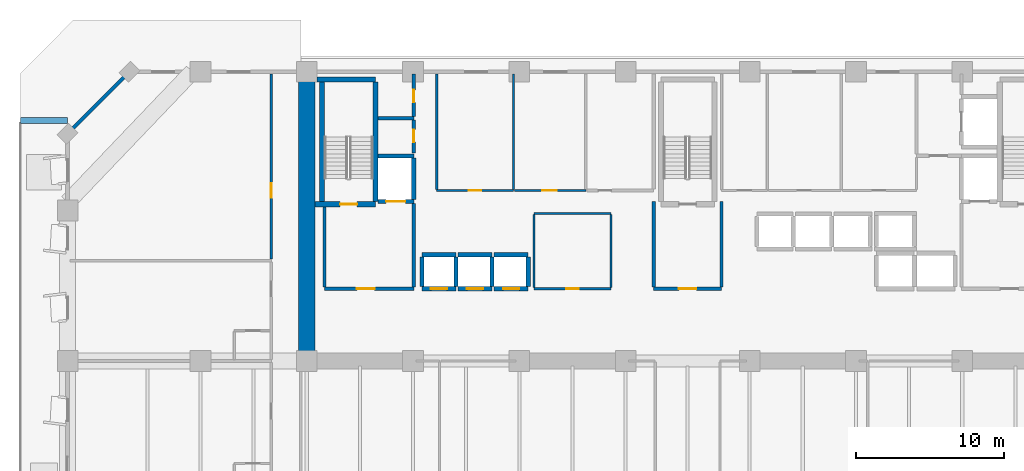
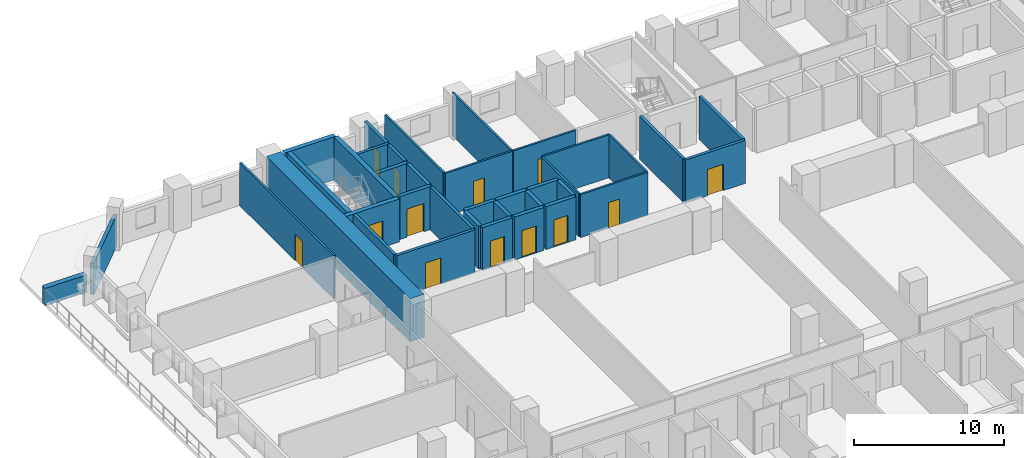
# One storey, part 9 of 17: 38 walls, 13 doors, 13 openings.
"""IFC4 building model written with IfcOpenShell, lengths in metres."""

from ifc_helpers import new_model, si_unit, direction, frame, frame_2d, origin, place, context, subcontext, project, spatial, rectangle, extrude, material, layer, layer_set, type_object, element, fill, save


model = new_model("IFC4")

# Units and contexts
model_context = context("Model", 3, precision=1e-05, world=origin(), true_north=direction((0.0, 1.0)))
body_context = subcontext(model_context, "Body", "Model", "MODEL_VIEW")
ifc_project = project(units=[si_unit("LENGTHUNIT", "METRE"), si_unit("AREAUNIT", "SQUARE_METRE"), si_unit("VOLUMEUNIT", "CUBIC_METRE"), si_unit("PLANEANGLEUNIT", "RADIAN"), si_unit("MASSUNIT", "GRAM", prefix="KILO")], contexts=[model_context])

# Site, building, storey
site_placement = place(None, origin())
site = spatial("IfcSite", under=ifc_project, at=site_placement, CompositionType="ELEMENT")
building_placement = place(site_placement, origin())
building = spatial("IfcBuilding", under=site, at=building_placement, Name="Kaelvorn Grand Hotel", CompositionType="ELEMENT")
storey_placement = place(building_placement, frame((0.0, 0.0, 31.39990234375)))
storey = spatial("IfcBuildingStorey", under=building, at=storey_placement, Name="L05", CompositionType="ELEMENT", Elevation=31.39990234375)

# Walls
ifc_material_1 = material(Name="Concrete C80/95", Category="concrete")
ifc_layer_1 = layer(ifc_material_1, 1.10009765625)
ifc_layer_set_1 = layer_set([ifc_layer_1], Name="Concrete C80/95")
wall_type_1 = type_object("IfcWallType", Name="WL-CORE-1100-C80", PredefinedType="SHEAR", material=ifc_layer_set_1)
wall_1_placement = place(storey_placement, frame((16.199951171875, 29.39990234375, 0.0), z_axis=(0.0, 0.0, 1.0), x_axis=(0.0, 1.0, 0.0)))
element("IfcWall", 1, at=wall_1_placement, inside=storey, type_object=wall_type_1, Name="L05 Rear-Core West Shear Wall", PredefinedType="SHEAR", context=body_context, shape_type="SweptSolid", body=[
    extrude(rectangle(XDim=19.2001953125, YDim=1.10009765625, at=frame_2d((9.60009765625, 0.0))), origin(), (0.0, 0.0, 1.0), 3.510009765625),
])
ifc_material_2 = material(Name="Concrete C40/50", Category="concrete")
ifc_layer_2 = layer(ifc_material_2, 0.260009765625)
ifc_layer_set_2 = layer_set([ifc_layer_2], Name="Concrete C40/50")
wall_type_2 = type_object("IfcWallType", Name="WL-EXT-260-C40", PredefinedType="SOLIDWALL", material=ifc_layer_set_2)
wall_2_placement = place(storey_placement, frame((4.199951171875, 49.0, 0.0), z_axis=(0.0, 0.0, 1.0), x_axis=(-0.707106781187, -0.707106781187, 0.0)))
element("IfcWall", 2, at=wall_2_placement, inside=storey, type_object=wall_type_2, Name="L05 Exterior Architectural Concrete Wall 06", PredefinedType="SOLIDWALL", context=body_context, shape_type="SweptSolid", body=[
    extrude(rectangle(XDim=5.939697265625, YDim=0.260009765625, at=frame_2d((2.9697265625, 0.0))), origin(), (0.0, 0.0, 1.0), 2.56005859375),
])

# Wall, opening, door
ifc_material_3 = material(Name="Acoustic Gypsum & Stud Partition")
ifc_layer_3 = layer(ifc_material_3, 0.14990234375)
ifc_layer_set_3 = layer_set([ifc_layer_3], Name="Acoustic Gypsum & Stud Partition")
wall_type_3 = type_object("IfcWallType", Name="WL-PART-150-EI60", PredefinedType="PARTITIONING", material=ifc_layer_set_3)
wall_3_placement = place(storey_placement, frame((31.60009765625, 34.300048828125, 0.0), z_axis=(0.0, 0.0, 1.0), x_axis=(1.0, 0.0, 0.0)))
wall_3 = element("IfcWall", 3, at=wall_3_placement, inside=storey, type_object=wall_type_3, Name="L05 Core Telecoms & BMS Server Room S Partition", PredefinedType="PARTITIONING", context=body_context, shape_type="SweptSolid", body=[
    extrude(rectangle(XDim=5.199951171875, YDim=0.14990234375, at=frame_2d((2.60009765625, 0.0))), origin(), (0.0, 0.0, 1.0), 3.510009765625),
])
opening_1_placement = place(wall_3_placement, frame((2.175048828125, 0.0, 0.0)))
opening_1 = element("IfcOpeningElement", 4, at=opening_1_placement, cuts=wall_3, Name="Opening DI7", PredefinedType="OPENING", context=body_context, shape_type="SweptSolid", body=[
    extrude(rectangle(XDim=0.85009765625, YDim=2.10009765625, at=frame_2d((0.425048828125, 1.050048828125))), frame((0.0, 0.0849609375, 0.0), z_axis=(0.0, -1.0, 0.0), x_axis=(1.0, 0.0, 0.0)), (0.0, 0.0, 1.0), 0.169921875),
])
ifc_material_4 = material(Name="Powder-Coated Steel Leaf", Category="steel")
door_type_1 = type_object("IfcDoorType", Name="DR-INT-RISER-850x2100", OperationType="NOTDEFINED", PredefinedType="DOOR", material=ifc_material_4)
door_1_placement = place(opening_1_placement, origin())
door_1 = element("IfcDoor", 5, at=door_1_placement, inside=storey, type_object=door_type_1, Name="L05 Core Telecoms & BMS Server Room Door", OperationType="SINGLE_SWING_RIGHT", OverallHeight=2.10009765625, OverallWidth=0.85009765625, PredefinedType="DOOR", context=body_context, shape_type="SweptSolid", body=[
    extrude(rectangle(XDim=0.85009765625, YDim=2.10009765625, at=frame_2d((0.425048828125, 1.050048828125))), frame((0.0, 0.02490234375, 0.0), z_axis=(0.0, -1.0, 0.0), x_axis=(1.0, 0.0, 0.0)), (0.0, 0.0, 1.0), 0.050048828125),
])
fill(opening_1, door_1)

# Walls
wall_4_placement = place(storey_placement, frame((31.60009765625, 39.39990234375, 0.0), z_axis=(0.0, 0.0, 1.0), x_axis=(1.0, 0.0, 0.0)))
element("IfcWall", 6, at=wall_4_placement, inside=storey, type_object=wall_type_3, Name="L05 Core Telecoms & BMS Server Room N Partition", PredefinedType="PARTITIONING", context=body_context, shape_type="SweptSolid", body=[
    extrude(rectangle(XDim=5.199951171875, YDim=0.14990234375, at=frame_2d((2.60009765625, 0.0))), origin(), (0.0, 0.0, 1.0), 3.510009765625),
])
for number, where, z_axis, x_axis, name in (
    (7, (31.60009765625, 34.3798828125, 0.0), (0.0, 0.0, 1.0), (0.0, 1.0, 0.0), "L05 Core Telecoms & BMS Server Room W Partition"),
    (8, (36.800048828125, 34.3798828125, 0.0), (0.0, 0.0, 1.0), (0.0, 1.0, 0.0), "L05 Core Telecoms & BMS Server Room E Partition"),
):
    element("IfcWall", number, at=place(storey_placement, frame(where, z_axis=z_axis, x_axis=x_axis)), inside=storey, type_object=wall_type_3, Name=name, PredefinedType="PARTITIONING", context=body_context, shape_type="SweptSolid", body=[
        extrude(rectangle(XDim=4.940185546875, YDim=0.14990234375, at=frame_2d((2.47021484375, 0.0))), origin(), (0.0, 0.0, 1.0), 3.510009765625),
    ])

# Wall, opening, door
wall_5_placement = place(storey_placement, frame((25.0, 40.949951171875, 0.0), z_axis=(0.0, 0.0, 1.0), x_axis=(1.0, 0.0, 0.0)))
wall_5 = element("IfcWall", 9, at=wall_5_placement, inside=storey, type_object=wall_type_3, Name="L05 Housekeeping & Linen Room S Partition", PredefinedType="PARTITIONING", context=body_context, shape_type="SweptSolid", body=[
    extrude(rectangle(XDim=5.199951171875, YDim=0.14990234375, at=frame_2d((2.60009765625, 0.0))), origin(), (0.0, 0.0, 1.0), 3.510009765625),
])
opening_2_placement = place(wall_5_placement, frame((2.175048828125, 0.0, 0.0)))
opening_2 = element("IfcOpeningElement", 10, at=opening_2_placement, cuts=wall_5, Name="Opening DI7", PredefinedType="OPENING", context=body_context, shape_type="SweptSolid", body=[
    extrude(rectangle(XDim=0.85009765625, YDim=2.10009765625, at=frame_2d((0.425048828125, 1.050048828125))), frame((0.0, 0.0849609375, 0.0), z_axis=(0.0, -1.0, 0.0), x_axis=(1.0, 0.0, 0.0)), (0.0, 0.0, 1.0), 0.169921875),
])
door_2_placement = place(opening_2_placement, origin())
door_2 = element("IfcDoor", 11, at=door_2_placement, inside=storey, type_object=door_type_1, Name="L05 Housekeeping & Linen Room Door", OperationType="SINGLE_SWING_LEFT", OverallHeight=2.10009765625, OverallWidth=0.85009765625, PredefinedType="DOOR", context=body_context, shape_type="SweptSolid", body=[
    extrude(rectangle(XDim=0.85009765625, YDim=2.10009765625, at=frame_2d((0.425048828125, 1.050048828125))), frame((0.0, 0.02490234375, 0.0), z_axis=(0.0, -1.0, 0.0), x_axis=(1.0, 0.0, 0.0)), (0.0, 0.0, 1.0), 0.050048828125),
])
fill(opening_2, door_2)

# Walls
for number, where, z_axis, x_axis, name in (
    (12, (25.0, 41.030029296875, 0.0), (0.0, 0.0, 1.0), (0.0, 1.0, 0.0), "L05 Housekeeping & Linen Room W Partition"),
    (13, (30.199951171875, 41.030029296875, 0.0), (0.0, 0.0, 1.0), (0.0, 1.0, 0.0), "L05 Housekeeping & Linen Room E Partition"),
):
    element("IfcWall", number, at=place(storey_placement, frame(where, z_axis=z_axis, x_axis=x_axis)), inside=storey, type_object=wall_type_3, Name=name, PredefinedType="PARTITIONING", context=body_context, shape_type="SweptSolid", body=[
        extrude(rectangle(XDim=7.820068359375, YDim=0.14990234375, at=frame_2d((3.91015625, 0.0))), origin(), (0.0, 0.0, 1.0), 3.510009765625),
    ])

# Wall, opening, door
wall_6_placement = place(storey_placement, frame((30.280029296875, 40.949951171875, 0.0), z_axis=(0.0, 0.0, 1.0), x_axis=(1.0, 0.0, 0.0)))
wall_6 = element("IfcWall", 14, at=wall_6_placement, inside=storey, type_object=wall_type_3, Name="L05 Room Service Servery Pantry S Partition", PredefinedType="PARTITIONING", context=body_context, shape_type="SweptSolid", body=[
    extrude(rectangle(XDim=4.820068359375, YDim=0.14990234375, at=frame_2d((2.41015625, 0.0))), origin(), (0.0, 0.0, 1.0), 3.510009765625),
])
opening_3_placement = place(wall_6_placement, frame((1.8701171875, 0.0, 0.0)))
opening_3 = element("IfcOpeningElement", 15, at=opening_3_placement, cuts=wall_6, Name="Opening DI3", PredefinedType="OPENING", context=body_context, shape_type="SweptSolid", body=[
    extrude(rectangle(XDim=1.0, YDim=2.14990234375, at=frame_2d((0.5, 1.074951171875))), frame((0.0, 0.0849609375, 0.0), z_axis=(0.0, -1.0, 0.0), x_axis=(1.0, 0.0, 0.0)), (0.0, 0.0, 1.0), 0.169921875),
])
ifc_material_5 = material(Name="Timber Veneer Fire Leaf", Category="wood")
door_type_2 = type_object("IfcDoorType", Name="DR-INT-GUEST-1000x2150", OperationType="NOTDEFINED", PredefinedType="DOOR", material=ifc_material_5)
door_3_placement = place(opening_3_placement, origin())
door_3 = element("IfcDoor", 16, at=door_3_placement, inside=storey, type_object=door_type_2, Name="L05 Room Service Servery Pantry Door", OperationType="SINGLE_SWING_RIGHT", OverallHeight=2.14990234375, OverallWidth=1.0, PredefinedType="DOOR", context=body_context, shape_type="SweptSolid", body=[
    extrude(rectangle(XDim=1.0, YDim=2.14990234375, at=frame_2d((0.5, 1.074951171875))), frame((0.0, 0.02490234375, 0.0), z_axis=(0.0, -1.0, 0.0), x_axis=(1.0, 0.0, 0.0)), (0.0, 0.0, 1.0), 0.050048828125),
])
fill(opening_3, door_3)

wall_7_placement = place(storey_placement, frame((13.800048828125, 36.294921875, 0.0), z_axis=(0.0, 0.0, 1.0), x_axis=(0.0, 1.0, 0.0)))
wall_7 = element("IfcWall", 17, at=wall_7_placement, inside=storey, type_object=wall_type_3, Name="L05 North-West Business Secretariat Office E Partition", PredefinedType="PARTITIONING", context=body_context, shape_type="SweptSolid", body=[
    extrude(rectangle(XDim=12.55517578125, YDim=0.14990234375, at=frame_2d((6.277587890625, 0.0))), origin(), (0.0, 0.0, 1.0), 3.510009765625),
])
opening_4_placement = place(wall_7_placement, frame((4.155029296875, 0.0, 0.0)))
opening_4 = element("IfcOpeningElement", 18, at=opening_4_placement, cuts=wall_7, Name="Opening DI3", PredefinedType="OPENING", context=body_context, shape_type="SweptSolid", body=[
    extrude(rectangle(XDim=1.0, YDim=2.14990234375, at=frame_2d((0.5, 1.074951171875))), frame((0.0, 0.0849609375, 0.0), z_axis=(0.0, -1.0, 0.0), x_axis=(1.0, 0.0, 0.0)), (0.0, 0.0, 1.0), 0.169921875),
])
door_4_placement = place(opening_4_placement, origin())
door_4 = element("IfcDoor", 19, at=door_4_placement, inside=storey, type_object=door_type_2, Name="L05 North-West Business Secretariat Office Door", OperationType="SINGLE_SWING_RIGHT", OverallHeight=2.14990234375, OverallWidth=1.0, PredefinedType="DOOR", context=body_context, shape_type="SweptSolid", body=[
    extrude(rectangle(XDim=1.0, YDim=2.14990234375, at=frame_2d((0.5, 1.074951171875))), frame((0.0, 0.02490234375, 0.0), z_axis=(0.0, -1.0, 0.0), x_axis=(1.0, 0.0, 0.0)), (0.0, 0.0, 1.0), 0.050048828125),
])
fill(opening_4, door_4)

ifc_layer_4 = layer(ifc_material_2, 0.219970703125)
ifc_layer_set_4 = layer_set([ifc_layer_4], Name="Concrete C40/50")
wall_type_4 = type_object("IfcWallType", Name="WL-PART-220-EI120", PredefinedType="PARTITIONING", material=ifc_layer_set_4)
wall_8_placement = place(storey_placement, frame((17.39990234375, 34.300048828125, 0.0), z_axis=(0.0, 0.0, 1.0), x_axis=(1.0, 0.0, 0.0)))
wall_8 = element("IfcWall", 20, at=wall_8_placement, inside=storey, type_object=wall_type_4, Name="L05 Firefighting Lift Lobby 1 S Partition", PredefinedType="PARTITIONING", context=body_context, shape_type="SweptSolid", body=[
    extrude(rectangle(XDim=6.050048828125, YDim=0.219970703125, at=frame_2d((3.02490234375, 0.0))), origin(), (0.0, 0.0, 1.0), 3.510009765625),
])
opening_5_placement = place(wall_8_placement, frame((2.199951171875, 0.0, 0.0)))
opening_5 = element("IfcOpeningElement", 21, at=opening_5_placement, cuts=wall_8, Name="Opening DI2", PredefinedType="OPENING", context=body_context, shape_type="SweptSolid", body=[
    extrude(rectangle(XDim=1.199951171875, YDim=2.14990234375, at=frame_2d((0.60009765625, 1.074951171875))), frame((0.0, 0.1201171875, 0.0), z_axis=(0.0, -1.0, 0.0), x_axis=(1.0, 0.0, 0.0)), (0.0, 0.0, 1.0), 0.239990234375),
])
door_type_3 = type_object("IfcDoorType", Name="DR-INT-FFLOB-1200x2150", OperationType="NOTDEFINED", PredefinedType="DOOR", material=ifc_material_5)
door_5_placement = place(opening_5_placement, origin())
door_5 = element("IfcDoor", 22, at=door_5_placement, inside=storey, type_object=door_type_3, Name="L05 Firefighting Lift Lobby 1 Door", OperationType="SINGLE_SWING_RIGHT", OverallHeight=2.14990234375, OverallWidth=1.199951171875, PredefinedType="DOOR", context=body_context, shape_type="SweptSolid", body=[
    extrude(rectangle(XDim=1.199951171875, YDim=2.14990234375, at=frame_2d((0.60009765625, 1.074951171875))), frame((0.0, 0.02490234375, 0.0), z_axis=(0.0, -1.0, 0.0), x_axis=(1.0, 0.0, 0.0)), (0.0, 0.0, 1.0), 0.050048828125),
])
fill(opening_5, door_5)

# Walls
wall_9_placement = place(storey_placement, frame((17.39990234375, 34.4150390625, 0.0), z_axis=(0.0, 0.0, 1.0), x_axis=(0.0, 1.0, 0.0)))
element("IfcWall", 23, at=wall_9_placement, inside=storey, type_object=wall_type_4, Name="L05 Firefighting Lift Lobby 1 W Partition", PredefinedType="PARTITIONING", context=body_context, shape_type="SweptSolid", body=[
    extrude(rectangle(XDim=5.429931640625, YDim=0.219970703125, at=frame_2d((2.71484375, 0.0))), origin(), (0.0, 0.0, 1.0), 3.510009765625),
])
wall_10_placement = place(storey_placement, frame((23.449951171875, 34.4150390625, 0.0), z_axis=(0.0, 0.0, 1.0), x_axis=(0.0, 1.0, 0.0)))
element("IfcWall", 24, at=wall_10_placement, inside=storey, type_object=wall_type_4, Name="L05 Firefighting Lift Lobby 1 E Partition", PredefinedType="PARTITIONING", context=body_context, shape_type="SweptSolid", body=[
    extrude(rectangle(XDim=5.639892578125, YDim=0.219970703125, at=frame_2d((2.81982421875, 0.0))), origin(), (0.0, 0.0, 1.0), 3.510009765625),
])

# Wall, opening, door
wall_11_placement = place(storey_placement, frame((39.699951171875, 34.300048828125, 0.0), z_axis=(0.0, 0.0, 1.0), x_axis=(1.0, 0.0, 0.0)))
wall_11 = element("IfcWall", 25, at=wall_11_placement, inside=storey, type_object=wall_type_4, Name="L05 Central Stair Escape Vestibule S Partition", PredefinedType="PARTITIONING", context=body_context, shape_type="SweptSolid", body=[
    extrude(rectangle(XDim=4.60009765625, YDim=0.219970703125, at=frame_2d((2.300048828125, 0.0))), origin(), (0.0, 0.0, 1.0), 3.510009765625),
])
opening_6_placement = place(wall_11_placement, frame((1.699951171875, 0.0, 0.0)))
opening_6 = element("IfcOpeningElement", 26, at=opening_6_placement, cuts=wall_11, Name="Opening DI2", PredefinedType="OPENING", context=body_context, shape_type="SweptSolid", body=[
    extrude(rectangle(XDim=1.199951171875, YDim=2.14990234375, at=frame_2d((0.60009765625, 1.074951171875))), frame((0.0, 0.1201171875, 0.0), z_axis=(0.0, -1.0, 0.0), x_axis=(1.0, 0.0, 0.0)), (0.0, 0.0, 1.0), 0.239990234375),
])
door_6_placement = place(opening_6_placement, origin())
door_6 = element("IfcDoor", 27, at=door_6_placement, inside=storey, type_object=door_type_3, Name="L05 Central Stair Escape Vestibule Door", OperationType="SINGLE_SWING_RIGHT", OverallHeight=2.14990234375, OverallWidth=1.199951171875, PredefinedType="DOOR", context=body_context, shape_type="SweptSolid", body=[
    extrude(rectangle(XDim=1.199951171875, YDim=2.14990234375, at=frame_2d((0.60009765625, 1.074951171875))), frame((0.0, 0.02490234375, 0.0), z_axis=(0.0, -1.0, 0.0), x_axis=(1.0, 0.0, 0.0)), (0.0, 0.0, 1.0), 0.050048828125),
])
fill(opening_6, door_6)

# Walls
for number, where, z_axis, x_axis, name in (
    (28, (39.699951171875, 34.4150390625, 0.0), (0.0, 0.0, 1.0), (0.0, 1.0, 0.0), "L05 Central Stair Escape Vestibule W Partition"),
    (29, (44.300048828125, 34.4150390625, 0.0), (0.0, 0.0, 1.0), (0.0, 1.0, 0.0), "L05 Central Stair Escape Vestibule E Partition"),
):
    element("IfcWall", number, at=place(storey_placement, frame(where, z_axis=z_axis, x_axis=x_axis)), inside=storey, type_object=wall_type_4, Name=name, PredefinedType="PARTITIONING", context=body_context, shape_type="SweptSolid", body=[
        extrude(rectangle(XDim=5.784912109375, YDim=0.219970703125, at=frame_2d((2.892578125, 0.0))), origin(), (0.0, 0.0, 1.0), 3.510009765625),
    ])
wall_12_placement = place(storey_placement, frame((21.034912109375, 45.85009765625, 0.0), z_axis=(0.0, 0.0, 1.0), x_axis=(1.0, 0.0, 0.0)))
element("IfcWall", 30, at=wall_12_placement, inside=storey, type_object=wall_type_4, Name="L05 Wet Fire & Plumbing Riser Shaft N Partition", PredefinedType="PARTITIONING", context=body_context, shape_type="SweptSolid", body=[
    extrude(rectangle(XDim=2.4150390625, YDim=0.219970703125, at=frame_2d((1.20751953125, 0.0))), origin(), (0.0, 0.0, 1.0), 3.510009765625),
])

# Wall, opening, door
wall_13_placement = place(storey_placement, frame((23.449951171875, 43.5, 0.0), z_axis=(0.0, 0.0, 1.0), x_axis=(0.0, 1.0, 0.0)))
wall_13 = element("IfcWall", 31, at=wall_13_placement, inside=storey, type_object=wall_type_4, Name="L05 Wet Fire & Plumbing Riser Shaft E Partition", PredefinedType="PARTITIONING", context=body_context, shape_type="SweptSolid", body=[
    extrude(rectangle(XDim=2.235107421875, YDim=0.219970703125, at=frame_2d((1.11767578125, 0.0))), origin(), (0.0, 0.0, 1.0), 3.510009765625),
])
opening_7_placement = place(wall_13_placement, frame((0.72509765625, 0.0, 0.0)))
opening_7 = element("IfcOpeningElement", 32, at=opening_7_placement, cuts=wall_13, Name="Opening DI7", PredefinedType="OPENING", context=body_context, shape_type="SweptSolid", body=[
    extrude(rectangle(XDim=0.85009765625, YDim=2.10009765625, at=frame_2d((0.425048828125, 1.050048828125))), frame((0.0, 0.1201171875, 0.0), z_axis=(0.0, -1.0, 0.0), x_axis=(1.0, 0.0, 0.0)), (0.0, 0.0, 1.0), 0.239990234375),
])
door_7_placement = place(opening_7_placement, origin())
door_7 = element("IfcDoor", 33, at=door_7_placement, inside=storey, type_object=door_type_1, Name="L05 Wet Fire & Plumbing Riser Shaft Door", OperationType="SINGLE_SWING_RIGHT", OverallHeight=2.10009765625, OverallWidth=0.85009765625, PredefinedType="DOOR", context=body_context, shape_type="SweptSolid", body=[
    extrude(rectangle(XDim=0.85009765625, YDim=2.10009765625, at=frame_2d((0.425048828125, 1.050048828125))), frame((0.0, 0.02490234375, 0.0), z_axis=(0.0, -1.0, 0.0), x_axis=(1.0, 0.0, 0.0)), (0.0, 0.0, 1.0), 0.050048828125),
])
fill(opening_7, door_7)

wall_14_placement = place(storey_placement, frame((23.449951171875, 45.965087890625, 0.0), z_axis=(0.0, 0.0, 1.0), x_axis=(0.0, 1.0, 0.0)))
wall_14 = element("IfcWall", 34, at=wall_14_placement, inside=storey, type_object=wall_type_4, Name="L05 HV Electrical & Smoke Riser E Partition", PredefinedType="PARTITIONING", context=body_context, shape_type="SweptSolid", body=[
    extrude(rectangle(XDim=2.885009765625, YDim=0.219970703125, at=frame_2d((1.4423828125, 0.0))), origin(), (0.0, 0.0, 1.0), 3.510009765625),
])
opening_8_placement = place(wall_14_placement, frame((0.9599609375, 0.0, 0.0)))
opening_8 = element("IfcOpeningElement", 35, at=opening_8_placement, cuts=wall_14, Name="Opening DI7", PredefinedType="OPENING", context=body_context, shape_type="SweptSolid", body=[
    extrude(rectangle(XDim=0.85009765625, YDim=2.10009765625, at=frame_2d((0.425048828125, 1.050048828125))), frame((0.0, 0.1201171875, 0.0), z_axis=(0.0, -1.0, 0.0), x_axis=(1.0, 0.0, 0.0)), (0.0, 0.0, 1.0), 0.239990234375),
])
door_8_placement = place(opening_8_placement, origin())
door_8 = element("IfcDoor", 36, at=door_8_placement, inside=storey, type_object=door_type_1, Name="L05 HV Electrical & Smoke Riser Door", OperationType="SINGLE_SWING_LEFT", OverallHeight=2.10009765625, OverallWidth=0.85009765625, PredefinedType="DOOR", context=body_context, shape_type="SweptSolid", body=[
    extrude(rectangle(XDim=0.85009765625, YDim=2.10009765625, at=frame_2d((0.425048828125, 1.050048828125))), frame((0.0, 0.02490234375, 0.0), z_axis=(0.0, -1.0, 0.0), x_axis=(1.0, 0.0, 0.0)), (0.0, 0.0, 1.0), 0.050048828125),
])
fill(opening_8, door_8)

ifc_material_6 = material(Name="Concrete C50/60", Category="concrete")
ifc_layer_5 = layer(ifc_material_6, 0.280029296875)
ifc_layer_set_5 = layer_set([ifc_layer_5], Name="Concrete C50/60")
wall_type_5 = type_object("IfcWallType", Name="WL-SHAFT-280-C50", PredefinedType="SHEAR", material=ifc_layer_set_5)
wall_15_placement = place(storey_placement, frame((24.0, 34.300048828125, 0.0), z_axis=(0.0, 0.0, 1.0), x_axis=(1.0, 0.0, 0.0)))
wall_15 = element("IfcWall", 37, at=wall_15_placement, inside=storey, type_object=wall_type_5, Name="L05 Lift PL-L1 Shaft South Wall", PredefinedType="SHEAR", context=body_context, shape_type="SweptSolid", body=[
    extrude(rectangle(XDim=2.300048828125, YDim=0.280029296875, at=frame_2d((1.14990234375, 0.0))), origin(), (0.0, 0.0, 1.0), 3.510009765625),
])
opening_9_placement = place(wall_15_placement, frame((0.60009765625, 0.0, 0.0)))
opening_9 = element("IfcOpeningElement", 38, at=opening_9_placement, cuts=wall_15, Name="Opening LD-PL-L1", PredefinedType="OPENING", context=body_context, shape_type="SweptSolid", body=[
    extrude(rectangle(XDim=1.10009765625, YDim=2.199951171875, at=frame_2d((0.550048828125, 1.10009765625))), frame((0.0, 0.14990234375, 0.0), z_axis=(0.0, -1.0, 0.0), x_axis=(1.0, 0.0, 0.0)), (0.0, 0.0, 1.0), 0.300048828125),
])
ifc_material_7 = material(Name="Stainless Steel", Category="steel")
door_type_4 = type_object("IfcDoorType", Name="DR-LIFT-PASS-1100x2200", OperationType="DOUBLE_DOOR_SLIDING", PredefinedType="DOOR", material=ifc_material_7)
door_9_placement = place(opening_9_placement, origin())
door_9 = element("IfcDoor", 39, at=door_9_placement, inside=storey, type_object=door_type_4, Name="L05 Lift PL-L1 Sliding Landing Door LD-PL-L1", OperationType="DOUBLE_DOOR_SLIDING", OverallHeight=2.199951171875, OverallWidth=1.10009765625, PredefinedType="DOOR", context=body_context, shape_type="SweptSolid", body=[
    extrude(rectangle(XDim=1.10009765625, YDim=2.199951171875, at=frame_2d((0.550048828125, 1.10009765625))), frame((0.0, 0.02490234375, 0.0), z_axis=(0.0, -1.0, 0.0), x_axis=(1.0, 0.0, 0.0)), (0.0, 0.0, 1.0), 0.050048828125),
])
fill(opening_9, door_9)

# Walls
wall_16_placement = place(storey_placement, frame((24.0, 36.60009765625, 0.0), z_axis=(0.0, 0.0, 1.0), x_axis=(1.0, 0.0, 0.0)))
element("IfcWall", 40, at=wall_16_placement, inside=storey, type_object=wall_type_5, Name="L05 Lift PL-L1 Shaft North Wall", PredefinedType="SHEAR", context=body_context, shape_type="SweptSolid", body=[
    extrude(rectangle(XDim=2.300048828125, YDim=0.280029296875, at=frame_2d((1.14990234375, 0.0))), origin(), (0.0, 0.0, 1.0), 3.510009765625),
])
for number, where, z_axis, x_axis, name in (
    (41, (24.0, 34.445068359375, 0.0), (0.0, 0.0, 1.0), (0.0, 1.0, 0.0), "L05 Lift PL-L1 Shaft West Wall"),
    (42, (26.300048828125, 34.445068359375, 0.0), (0.0, 0.0, 1.0), (0.0, 1.0, 0.0), "L05 Lift PL-L1 Shaft East Wall"),
):
    element("IfcWall", number, at=place(storey_placement, frame(where, z_axis=z_axis, x_axis=x_axis)), inside=storey, type_object=wall_type_5, Name=name, PredefinedType="SHEAR", context=body_context, shape_type="SweptSolid", body=[
        extrude(rectangle(XDim=2.010009765625, YDim=0.280029296875, at=frame_2d((1.0048828125, 0.0))), origin(), (0.0, 0.0, 1.0), 3.510009765625),
    ])

# Wall, opening, door
wall_17_placement = place(storey_placement, frame((26.449951171875, 34.300048828125, 0.0), z_axis=(0.0, 0.0, 1.0), x_axis=(1.0, 0.0, 0.0)))
wall_17 = element("IfcWall", 43, at=wall_17_placement, inside=storey, type_object=wall_type_5, Name="L05 Lift PL-L2 Shaft South Wall", PredefinedType="SHEAR", context=body_context, shape_type="SweptSolid", body=[
    extrude(rectangle(XDim=2.300048828125, YDim=0.280029296875, at=frame_2d((1.14990234375, 0.0))), origin(), (0.0, 0.0, 1.0), 3.510009765625),
])
opening_10_placement = place(wall_17_placement, frame((0.60009765625, 0.0, 0.0)))
opening_10 = element("IfcOpeningElement", 44, at=opening_10_placement, cuts=wall_17, Name="Opening LD-PL-L2", PredefinedType="OPENING", context=body_context, shape_type="SweptSolid", body=[
    extrude(rectangle(XDim=1.10009765625, YDim=2.199951171875, at=frame_2d((0.550048828125, 1.10009765625))), frame((0.0, 0.14990234375, 0.0), z_axis=(0.0, -1.0, 0.0), x_axis=(1.0, 0.0, 0.0)), (0.0, 0.0, 1.0), 0.300048828125),
])
door_10_placement = place(opening_10_placement, origin())
door_10 = element("IfcDoor", 45, at=door_10_placement, inside=storey, type_object=door_type_4, Name="L05 Lift PL-L2 Sliding Landing Door LD-PL-L2", OperationType="DOUBLE_DOOR_SLIDING", OverallHeight=2.199951171875, OverallWidth=1.10009765625, PredefinedType="DOOR", context=body_context, shape_type="SweptSolid", body=[
    extrude(rectangle(XDim=1.10009765625, YDim=2.199951171875, at=frame_2d((0.550048828125, 1.10009765625))), frame((0.0, 0.02490234375, 0.0), z_axis=(0.0, -1.0, 0.0), x_axis=(1.0, 0.0, 0.0)), (0.0, 0.0, 1.0), 0.050048828125),
])
fill(opening_10, door_10)

# Walls
wall_18_placement = place(storey_placement, frame((26.449951171875, 36.60009765625, 0.0), z_axis=(0.0, 0.0, 1.0), x_axis=(1.0, 0.0, 0.0)))
element("IfcWall", 46, at=wall_18_placement, inside=storey, type_object=wall_type_5, Name="L05 Lift PL-L2 Shaft North Wall", PredefinedType="SHEAR", context=body_context, shape_type="SweptSolid", body=[
    extrude(rectangle(XDim=2.300048828125, YDim=0.280029296875, at=frame_2d((1.14990234375, 0.0))), origin(), (0.0, 0.0, 1.0), 3.510009765625),
])
wall_19_placement = place(storey_placement, frame((28.75, 34.445068359375, 0.0), z_axis=(0.0, 0.0, 1.0), x_axis=(0.0, 1.0, 0.0)))
element("IfcWall", 47, at=wall_19_placement, inside=storey, type_object=wall_type_5, Name="L05 Lift PL-L2 Shaft East Wall", PredefinedType="SHEAR", context=body_context, shape_type="SweptSolid", body=[
    extrude(rectangle(XDim=2.010009765625, YDim=0.280029296875, at=frame_2d((1.0048828125, 0.0))), origin(), (0.0, 0.0, 1.0), 3.510009765625),
])

# Wall, opening, door
wall_20_placement = place(storey_placement, frame((28.89990234375, 34.300048828125, 0.0), z_axis=(0.0, 0.0, 1.0), x_axis=(1.0, 0.0, 0.0)))
wall_20 = element("IfcWall", 48, at=wall_20_placement, inside=storey, type_object=wall_type_5, Name="L05 Lift PL-L3 Shaft South Wall", PredefinedType="SHEAR", context=body_context, shape_type="SweptSolid", body=[
    extrude(rectangle(XDim=2.300048828125, YDim=0.280029296875, at=frame_2d((1.14990234375, 0.0))), origin(), (0.0, 0.0, 1.0), 3.510009765625),
])
opening_11_placement = place(wall_20_placement, frame((0.60009765625, 0.0, 0.0)))
opening_11 = element("IfcOpeningElement", 49, at=opening_11_placement, cuts=wall_20, Name="Opening LD-PL-L3", PredefinedType="OPENING", context=body_context, shape_type="SweptSolid", body=[
    extrude(rectangle(XDim=1.10009765625, YDim=2.199951171875, at=frame_2d((0.550048828125, 1.10009765625))), frame((0.0, 0.14990234375, 0.0), z_axis=(0.0, -1.0, 0.0), x_axis=(1.0, 0.0, 0.0)), (0.0, 0.0, 1.0), 0.300048828125),
])
door_11_placement = place(opening_11_placement, origin())
door_11 = element("IfcDoor", 50, at=door_11_placement, inside=storey, type_object=door_type_4, Name="L05 Lift PL-L3 Sliding Landing Door LD-PL-L3", OperationType="DOUBLE_DOOR_SLIDING", OverallHeight=2.199951171875, OverallWidth=1.10009765625, PredefinedType="DOOR", context=body_context, shape_type="SweptSolid", body=[
    extrude(rectangle(XDim=1.10009765625, YDim=2.199951171875, at=frame_2d((0.550048828125, 1.10009765625))), frame((0.0, 0.02490234375, 0.0), z_axis=(0.0, -1.0, 0.0), x_axis=(1.0, 0.0, 0.0)), (0.0, 0.0, 1.0), 0.050048828125),
])
fill(opening_11, door_11)

# Walls
wall_21_placement = place(storey_placement, frame((28.89990234375, 36.60009765625, 0.0), z_axis=(0.0, 0.0, 1.0), x_axis=(1.0, 0.0, 0.0)))
element("IfcWall", 51, at=wall_21_placement, inside=storey, type_object=wall_type_5, Name="L05 Lift PL-L3 Shaft North Wall", PredefinedType="SHEAR", context=body_context, shape_type="SweptSolid", body=[
    extrude(rectangle(XDim=2.300048828125, YDim=0.280029296875, at=frame_2d((1.14990234375, 0.0))), origin(), (0.0, 0.0, 1.0), 3.510009765625),
])
wall_22_placement = place(storey_placement, frame((31.199951171875, 34.445068359375, 0.0), z_axis=(0.0, 0.0, 1.0), x_axis=(0.0, 1.0, 0.0)))
element("IfcWall", 52, at=wall_22_placement, inside=storey, type_object=wall_type_5, Name="L05 Lift PL-L3 Shaft East Wall", PredefinedType="SHEAR", context=body_context, shape_type="SweptSolid", body=[
    extrude(rectangle(XDim=2.010009765625, YDim=0.280029296875, at=frame_2d((1.0048828125, 0.0))), origin(), (0.0, 0.0, 1.0), 3.510009765625),
])

# Wall, opening, door
wall_23_placement = place(storey_placement, frame((21.034912109375, 40.199951171875, 0.0), z_axis=(0.0, 0.0, 1.0), x_axis=(1.0, 0.0, 0.0)))
wall_23 = element("IfcWall", 53, at=wall_23_placement, inside=storey, type_object=wall_type_5, Name="L05 Lift FFL1 Shaft South Wall", PredefinedType="SHEAR", context=body_context, shape_type="SweptSolid", body=[
    extrude(rectangle(XDim=2.4150390625, YDim=0.280029296875, at=frame_2d((1.20751953125, 0.0))), origin(), (0.0, 0.0, 1.0), 3.510009765625),
])
opening_12_placement = place(wall_23_placement, frame((0.5400390625, 0.0, 0.0)))
opening_12 = element("IfcOpeningElement", 54, at=opening_12_placement, cuts=wall_23, Name="Opening LD-FFL1", PredefinedType="OPENING", context=body_context, shape_type="SweptSolid", body=[
    extrude(rectangle(XDim=1.300048828125, YDim=2.300048828125, at=frame_2d((0.64990234375, 1.14990234375))), frame((0.0, 0.14990234375, 0.0), z_axis=(0.0, -1.0, 0.0), x_axis=(1.0, 0.0, 0.0)), (0.0, 0.0, 1.0), 0.300048828125),
])
door_type_5 = type_object("IfcDoorType", Name="DR-LIFT-SERV-1300x2300", OperationType="DOUBLE_DOOR_SLIDING", PredefinedType="DOOR", material=ifc_material_7)
door_12_placement = place(opening_12_placement, origin())
door_12 = element("IfcDoor", 55, at=door_12_placement, inside=storey, type_object=door_type_5, Name="L05 Lift FFL1 Sliding Landing Door LD-FFL1", OperationType="DOUBLE_DOOR_SLIDING", OverallHeight=2.300048828125, OverallWidth=1.300048828125, PredefinedType="DOOR", context=body_context, shape_type="SweptSolid", body=[
    extrude(rectangle(XDim=1.300048828125, YDim=2.300048828125, at=frame_2d((0.64990234375, 1.14990234375))), frame((0.0, 0.02490234375, 0.0), z_axis=(0.0, -1.0, 0.0), x_axis=(1.0, 0.0, 0.0)), (0.0, 0.0, 1.0), 0.050048828125),
])
fill(opening_12, door_12)

# Walls
wall_24_placement = place(storey_placement, frame((21.034912109375, 43.300048828125, 0.0), z_axis=(0.0, 0.0, 1.0), x_axis=(1.0, 0.0, 0.0)))
element("IfcWall", 56, at=wall_24_placement, inside=storey, type_object=wall_type_5, Name="L05 Lift FFL1 Shaft North Wall", PredefinedType="SHEAR", context=body_context, shape_type="SweptSolid", body=[
    extrude(rectangle(XDim=2.4150390625, YDim=0.280029296875, at=frame_2d((1.20751953125, 0.0))), origin(), (0.0, 0.0, 1.0), 3.510009765625),
])
wall_25_placement = place(storey_placement, frame((23.449951171875, 40.344970703125, 0.0), z_axis=(0.0, 0.0, 1.0), x_axis=(0.0, 1.0, 0.0)))
element("IfcWall", 57, at=wall_25_placement, inside=storey, type_object=wall_type_5, Name="L05 Lift FFL1 Shaft East Wall", PredefinedType="SHEAR", context=body_context, shape_type="SweptSolid", body=[
    extrude(rectangle(XDim=2.81005859375, YDim=0.280029296875, at=frame_2d((1.405029296875, 0.0))), origin(), (0.0, 0.0, 1.0), 3.510009765625),
])

# Wall, opening, door
ifc_material_8 = material(Name="Concrete C60/75", Category="concrete")
ifc_layer_6 = layer(ifc_material_8, 0.35009765625)
ifc_layer_set_6 = layer_set([ifc_layer_6], Name="Concrete C60/75")
wall_type_6 = type_object("IfcWallType", Name="WL-SHAFT-350-C60", PredefinedType="SHEAR", material=ifc_layer_set_6)
wall_26_placement = place(storey_placement, frame((16.7548828125, 40.02490234375, 0.0), z_axis=(0.0, 0.0, 1.0), x_axis=(1.0, 0.0, 0.0)))
wall_26 = element("IfcWall", 58, at=wall_26_placement, inside=storey, type_object=wall_type_6, Name="L05 ST1 Stair Shaft South Wall", PredefinedType="SHEAR", context=body_context, shape_type="SweptSolid", body=[
    extrude(rectangle(XDim=4.10009765625, YDim=0.35009765625, at=frame_2d((2.050048828125, 0.0))), origin(), (0.0, 0.0, 1.0), 3.510009765625),
])
opening_13_placement = place(wall_26_placement, frame((1.7099609375, 0.0, 0.0)))
opening_13 = element("IfcOpeningElement", 59, at=opening_13_placement, cuts=wall_26, Name="Opening DI1", PredefinedType="OPENING", context=body_context, shape_type="SweptSolid", body=[
    extrude(rectangle(XDim=1.14990234375, YDim=2.14990234375, at=frame_2d((0.574951171875, 1.074951171875))), frame((0.0, 0.18505859375, 0.0), z_axis=(0.0, -1.0, 0.0), x_axis=(1.0, 0.0, 0.0)), (0.0, 0.0, 1.0), 0.3701171875),
])
door_type_6 = type_object("IfcDoorType", Name="DR-INT-STAIR-1150x2150", OperationType="NOTDEFINED", PredefinedType="DOOR", material=ifc_material_5)
door_13_placement = place(opening_13_placement, origin())
door_13 = element("IfcDoor", 60, at=door_13_placement, inside=storey, type_object=door_type_6, Name="L05 ST1 Exit Stair Fire Door", OperationType="SINGLE_SWING_LEFT", OverallHeight=2.14990234375, OverallWidth=1.14990234375, PredefinedType="DOOR", context=body_context, shape_type="SweptSolid", body=[
    extrude(rectangle(XDim=1.14990234375, YDim=2.14990234375, at=frame_2d((0.574951171875, 1.074951171875))), frame((0.0, 0.02490234375, 0.0), z_axis=(0.0, -1.0, 0.0), x_axis=(1.0, 0.0, 0.0)), (0.0, 0.0, 1.0), 0.050048828125),
])
fill(opening_13, door_13)

# Walls
wall_27_placement = place(storey_placement, frame((16.905029296875, 48.47509765625, 0.0), z_axis=(0.0, 0.0, 1.0), x_axis=(1.0, 0.0, 0.0)))
element("IfcWall", 61, at=wall_27_placement, inside=storey, type_object=wall_type_6, Name="L05 ST1 Stair Shaft North Wall", PredefinedType="SHEAR", context=body_context, shape_type="SweptSolid", body=[
    extrude(rectangle(XDim=3.949951171875, YDim=0.35009765625, at=frame_2d((1.97509765625, 0.0))), origin(), (0.0, 0.0, 1.0), 3.510009765625),
])
for number, where, z_axis, x_axis, name in (
    (62, (17.22509765625, 40.205078125, 0.0), (0.0, 0.0, 1.0), (0.0, 1.0, 0.0), "L05 ST1 Stair Shaft West Wall"),
    (63, (20.85498046875, 40.205078125, 0.0), (0.0, 0.0, 1.0), (0.0, 1.0, 0.0), "L05 ST1 Stair Shaft East Wall"),
):
    element("IfcWall", number, at=place(storey_placement, frame(where, z_axis=z_axis, x_axis=x_axis)), inside=storey, type_object=wall_type_6, Name=name, PredefinedType="SHEAR", context=body_context, shape_type="SweptSolid", body=[
        extrude(rectangle(XDim=8.08984375, YDim=0.35009765625, at=frame_2d((4.044921875, 0.0))), origin(), (0.0, 0.0, 1.0), 3.510009765625),
    ])
ifc_layer_7 = layer(ifc_material_2, 0.39990234375)
ifc_layer_set_7 = layer_set([ifc_layer_7], Name="Concrete C40/50")
wall_type_7 = type_object("IfcWallType", Name="WL-UPS-400-C40", PredefinedType="PARAPET", material=ifc_layer_set_7)
wall_28_placement = place(storey_placement, frame((-3.199951171875, 45.699951171875, -0.239990234375), z_axis=(0.0, 0.0, 1.0), x_axis=(1.0, 0.0, 0.0)))
element("IfcWall", 64, at=wall_28_placement, inside=storey, type_object=wall_type_7, Name="L05 Podium Corner Roof Upstand Wall NW", PredefinedType="PARAPET", context=body_context, shape_type="SweptSolid", body=[
    extrude(rectangle(XDim=3.199951171875, YDim=0.39990234375, at=frame_2d((1.60009765625, 0.0))), origin(), (0.0, 0.0, 1.0), 1.440185546875),
])

save(model, "model.ifc")
